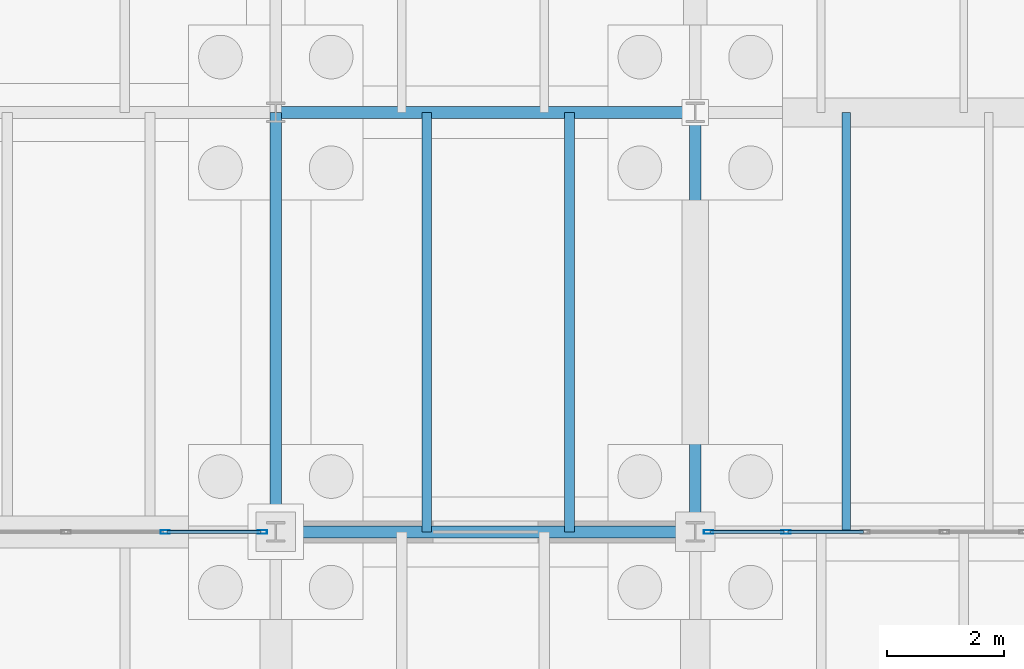
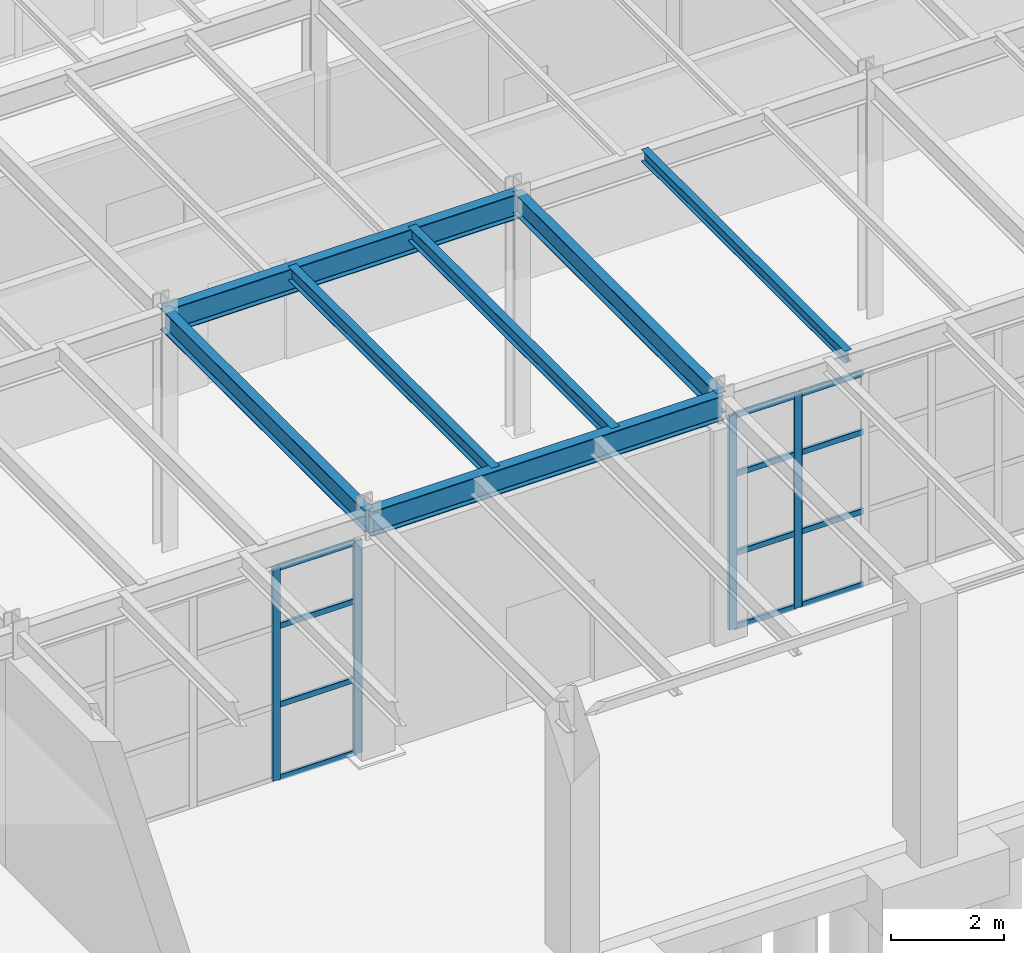
# One storey, part 72 of 293: 16 members, 7 beams, 2 elements without a shape of their own.
"""IFC4 building model written with IfcOpenShell, lengths in metres."""

from ifc_helpers import new_model, si_unit, direction, frame, origin, origin_2d, place, context, subcontext, project, spatial, hollow_rectangle, i_section, extrude, material, layer, layer_set, material_profile, profile_set, type_object, element, aggregate, save


model = new_model("IFC4")

# Units and contexts
model_context = context("Model", 3, precision=1e-05, world=origin(), true_north=direction((0.0, 1.0)))
body_context = subcontext(model_context, "Body", "Model", "MODEL_VIEW")
ifc_project = project(units=[si_unit("LENGTHUNIT", "METRE"), si_unit("AREAUNIT", "SQUARE_METRE"), si_unit("VOLUMEUNIT", "CUBIC_METRE"), si_unit("PLANEANGLEUNIT", "RADIAN"), si_unit("MASSUNIT", "GRAM", prefix="KILO")], contexts=[model_context])

# Site, building, storey
site_placement = place(None, origin())
site = spatial("IfcSite", under=ifc_project, at=site_placement, CompositionType="ELEMENT")
building_placement = place(site_placement, origin())
building = spatial("IfcBuilding", under=site, at=building_placement, Name="Kemerveld Promenade Tramway Depot", CompositionType="ELEMENT")
storey_placement = place(building_placement, origin())
storey = spatial("IfcBuildingStorey", under=building, at=storey_placement, Name="L00", CompositionType="ELEMENT", Elevation=0.0)

# Beams
ifc_material_1 = material(Name="Steel S355", Category="steel")
ifc_material_profile_1 = material_profile(ifc_material_1, i_section(OverallWidth=0.2099609375, OverallDepth=0.53662109375, WebThickness=0.0107421875, FlangeThickness=0.017333984375, FilletRadius=0.0126953125, at=origin_2d()), Name="533x210x101 UB")
ifc_profile_set_1 = profile_set([ifc_material_profile_1], Name="Steel S355")
beam_type_1 = type_object("IfcBeamType", Name="BM-G05", PredefinedType="BEAM", material=ifc_profile_set_1)
for number, where, z_axis, x_axis, name in (
    (1, (64.800048828125, 7.199951171875, 4.906494140625), (1.0, 0.0, 0.0), (0.0, 1.0, 0.0), "BMX-L00-10-11-B"),
    (2, (64.800048828125, 14.39990234375, 4.906494140625), (1.0, 0.0, 0.0), (0.0, 1.0, 0.0), "BMX-L00-10-11-C"),
):
    element("IfcBeam", number, at=place(storey_placement, frame(where, z_axis=z_axis, x_axis=x_axis)), inside=storey, type_object=beam_type_1, Name=name, PredefinedType="BEAM", context=body_context, shape_type="SweptSolid", body=[
        extrude(i_section(OverallWidth=0.2099609375, OverallDepth=0.53662109375, WebThickness=0.0107421875, FlangeThickness=0.017333984375, FilletRadius=0.0126953125, at=origin_2d()), origin(), (0.0, 0.0, 1.0), 7.199951171875),
    ])
ifc_material_profile_2 = material_profile(ifc_material_1, i_section(OverallWidth=0.19140625, OverallDepth=0.4599609375, WebThickness=0.010009765625, FlangeThickness=0.01611328125, FilletRadius=0.01025390625, at=origin_2d()), Name="457x191x82 UB")
ifc_profile_set_2 = profile_set([ifc_material_profile_2], Name="Steel S355")
beam_type_2 = type_object("IfcBeamType", Name="BM-G06", PredefinedType="BEAM", material=ifc_profile_set_2)
for number, where, z_axis, x_axis, name in (
    (3, (64.800048828125, 7.199951171875, 4.945068359375), (0.0, 1.0, 0.0), (-1.0, 0.0, 0.0), "BMY-L00-10-B-C"),
    (4, (72.0, 7.199951171875, 4.945068359375), (0.0, 1.0, 0.0), (-1.0, 0.0, 0.0), "BMY-L00-11-B-C"),
):
    element("IfcBeam", number, at=place(storey_placement, frame(where, z_axis=z_axis, x_axis=x_axis)), inside=storey, type_object=beam_type_2, Name=name, PredefinedType="BEAM", context=body_context, shape_type="SweptSolid", body=[
        extrude(i_section(OverallWidth=0.19140625, OverallDepth=0.4599609375, WebThickness=0.010009765625, FlangeThickness=0.01611328125, FilletRadius=0.01025390625, at=origin_2d()), origin(), (0.0, 0.0, 1.0), 7.199951171875),
    ])
ifc_material_profile_3 = material_profile(ifc_material_1, i_section(OverallWidth=0.165771484375, OverallDepth=0.306640625, WebThickness=0.006591796875, FlangeThickness=0.01171875, FilletRadius=0.0087890625, at=origin_2d()), Name="305x165x46 UB")
ifc_profile_set_3 = profile_set([ifc_material_profile_3], Name="Steel S355")
beam_type_3 = type_object("IfcBeamType", Name="BM-J01", PredefinedType="JOIST", material=ifc_profile_set_3)
for number, where, z_axis, x_axis, name in (
    (5, (67.39208984375, 7.199951171875, 5.021728515625), (0.0, 1.0, 0.0), (-1.0, 0.0, 0.0), "JST-L00-10-B-1"),
    (6, (69.840087890625, 7.199951171875, 5.021728515625), (0.0, 1.0, 0.0), (-1.0, 0.0, 0.0), "JST-L00-10-B-2"),
):
    element("IfcBeam", number, at=place(storey_placement, frame(where, z_axis=z_axis, x_axis=x_axis)), inside=storey, type_object=beam_type_3, Name=name, PredefinedType="JOIST", context=body_context, shape_type="SweptSolid", body=[
        extrude(i_section(OverallWidth=0.165771484375, OverallDepth=0.306640625, WebThickness=0.006591796875, FlangeThickness=0.01171875, FilletRadius=0.0087890625, at=origin_2d()), origin(), (0.0, 0.0, 1.0), 7.199951171875),
    ])
ifc_material_profile_4 = material_profile(ifc_material_1, i_section(OverallWidth=0.146484375, OverallDepth=0.256103515625, WebThickness=0.00634765625, FlangeThickness=0.010986328125, FilletRadius=0.007568359375, at=origin_2d()), Name="254x146x37 UB")
ifc_profile_set_4 = profile_set([ifc_material_profile_4], Name="Steel S355")
beam_type_4 = type_object("IfcBeamType", Name="BM-J02", PredefinedType="JOIST", material=ifc_profile_set_4)
beam_placement = place(storey_placement, frame((74.592041015625, 7.199951171875, 5.047119140625), z_axis=(0.0, 1.0, 0.0), x_axis=(-1.0, 0.0, 0.0)))
element("IfcBeam", 7, at=beam_placement, inside=storey, type_object=beam_type_4, Name="JST-L00-11-B-1", PredefinedType="JOIST", context=body_context, shape_type="SweptSolid", body=[
    extrude(i_section(OverallWidth=0.146484375, OverallDepth=0.256103515625, WebThickness=0.00634765625, FlangeThickness=0.010986328125, FilletRadius=0.007568359375, at=origin_2d()), origin(), (0.0, 0.0, 1.0), 7.199951171875),
])

# Curtain wall, members
ifc_material_2 = material(Name="Bronze anodised aluminium and solar glass", Category="aluminium")
ifc_layer_1 = layer(ifc_material_2, 0.159912109375)
ifc_layer_set_1 = layer_set([ifc_layer_1], Name="CW-SYS-01")
curtain_wall_type_1 = type_object("IfcCurtainWallType", Name="CW-SYS-01", PredefinedType="USERDEFINED", material=ifc_layer_set_1)
curtain_wall_1_placement = place(storey_placement, origin())
curtain_wall_1 = element("IfcCurtainWall", 8, at=curtain_wall_1_placement, inside=storey, type_object=curtain_wall_type_1, Name="CW-L00-V4S-12", ObjectType="GLAZED_CURTAIN_WALL", PredefinedType="USERDEFINED")
ifc_material_3 = material(Name="Bronze anodised aluminium", Category="aluminium")
ifc_material_profile_5 = material_profile(ifc_material_3, hollow_rectangle(XDim=0.06494140625, YDim=0.159912109375, WallThickness=0.00390625, InnerFilletRadius=0.001953125, OuterFilletRadius=0.00390625, at=origin_2d()), Name="CW-MUL-160x65")
ifc_profile_set_5 = profile_set([ifc_material_profile_5], Name="Bronze anodised aluminium")
member_type_1 = type_object("IfcMemberType", Name="CW-MUL-A", PredefinedType="MULLION", material=ifc_profile_set_5)
member_1_placement = place(storey_placement, frame((73.557861328125, 7.199951171875, 0.0), z_axis=(0.0, 0.0, 1.0), x_axis=(0.0, -1.0, 0.0)))
member_1 = element("IfcMember", 9, at=member_1_placement, type_object=member_type_1, Name="CW01 mullion 5", PredefinedType="MULLION", context=body_context, shape_type="SweptSolid", body=[
    extrude(hollow_rectangle(XDim=0.06494140625, YDim=0.159912109375, WallThickness=0.00390625, InnerFilletRadius=0.001953125, OuterFilletRadius=0.00390625, at=origin_2d()), origin(), (0.0, 0.0, 1.0), 4.618408203125),
])
member_2_placement = place(storey_placement, frame((72.228759765625, 7.199951171875, 0.0), z_axis=(0.0, 0.0, 1.0), x_axis=(0.0, -1.0, 0.0)))
member_2 = element("IfcMember", 10, at=member_2_placement, type_object=member_type_1, Name="CW01 mullion 6", PredefinedType="MULLION", context=body_context, shape_type="SweptSolid", body=[
    extrude(hollow_rectangle(XDim=0.06494140625, YDim=0.159912109375, WallThickness=0.00390625, InnerFilletRadius=0.001953125, OuterFilletRadius=0.00390625, at=origin_2d()), origin(), (0.0, 0.0, 1.0), 4.618408203125),
])

ifc_layer_2 = layer(ifc_material_2, 0.159912109375)
ifc_layer_set_2 = layer_set([ifc_layer_2], Name="CW-SYS-03")
curtain_wall_type_2 = type_object("IfcCurtainWallType", Name="CW-SYS-03", PredefinedType="USERDEFINED", material=ifc_layer_set_2)
curtain_wall_2_placement = place(storey_placement, origin())
curtain_wall_2 = element("IfcCurtainWall", 11, at=curtain_wall_2_placement, inside=storey, type_object=curtain_wall_type_2, Name="CW-L00-V4S-14", ObjectType="GLAZED_CURTAIN_WALL", PredefinedType="USERDEFINED")
member_3_placement = place(storey_placement, frame((64.5712890625, 7.199951171875, 0.0), z_axis=(0.0, 0.0, 1.0), x_axis=(0.0, -1.0, 0.0)))
member_3 = element("IfcMember", 12, at=member_3_placement, type_object=member_type_1, Name="CW03 mullion 1", PredefinedType="MULLION", context=body_context, shape_type="SweptSolid", body=[
    extrude(hollow_rectangle(XDim=0.06494140625, YDim=0.159912109375, WallThickness=0.00390625, InnerFilletRadius=0.001953125, OuterFilletRadius=0.00390625, at=origin_2d()), origin(), (0.0, 0.0, 1.0), 4.593505859375),
])
member_4_placement = place(storey_placement, frame((62.90185546875, 7.199951171875, 0.0), z_axis=(0.0, 0.0, 1.0), x_axis=(0.0, -1.0, 0.0)))
member_4 = element("IfcMember", 13, at=member_4_placement, type_object=member_type_1, Name="CW03 mullion 2", PredefinedType="MULLION", context=body_context, shape_type="SweptSolid", body=[
    extrude(hollow_rectangle(XDim=0.06494140625, YDim=0.159912109375, WallThickness=0.00390625, InnerFilletRadius=0.001953125, OuterFilletRadius=0.00390625, at=origin_2d()), origin(), (0.0, 0.0, 1.0), 4.593505859375),
])

# Member
ifc_material_profile_6 = material_profile(ifc_material_3, hollow_rectangle(XDim=0.06005859375, YDim=0.1201171875, WallThickness=0.00390625, InnerFilletRadius=0.001953125, OuterFilletRadius=0.00390625, at=origin_2d()), Name="CW-TRN-120x60")
ifc_profile_set_6 = profile_set([ifc_material_profile_6], Name="Bronze anodised aluminium")
member_type_2 = type_object("IfcMemberType", Name="CW-TRN-A", PredefinedType="USERDEFINED", material=ifc_profile_set_6)
member_5_placement = place(storey_placement, frame((74.88671875, 7.199951171875, 0.030029296875), z_axis=(-1.0, 0.0, 0.0), x_axis=(0.0, -1.0, 0.0)))
member_5 = element("IfcMember", 14, at=member_5_placement, type_object=member_type_2, Name="CW01 transom 4.1", ObjectType="TRANSOM", PredefinedType="USERDEFINED", context=body_context, shape_type="SweptSolid", body=[
    extrude(hollow_rectangle(XDim=0.06005859375, YDim=0.1201171875, WallThickness=0.00390625, InnerFilletRadius=0.001953125, OuterFilletRadius=0.00390625, at=origin_2d()), origin(), (0.0, 0.0, 1.0), 1.29638671875),
])

member_6_placement = place(storey_placement, frame((74.88671875, 7.199951171875, 1.615966796875), z_axis=(-1.0, 0.0, 0.0), x_axis=(0.0, -1.0, 0.0)))
member_6 = element("IfcMember", 15, at=member_6_placement, type_object=member_type_2, Name="CW01 transom 4.2", ObjectType="TRANSOM", PredefinedType="USERDEFINED", context=body_context, shape_type="SweptSolid", body=[
    extrude(hollow_rectangle(XDim=0.06005859375, YDim=0.1201171875, WallThickness=0.00390625, InnerFilletRadius=0.001953125, OuterFilletRadius=0.00390625, at=origin_2d()), origin(), (0.0, 0.0, 1.0), 1.29638671875),
])

member_7_placement = place(storey_placement, frame((74.88671875, 7.199951171875, 3.324951171875), z_axis=(-1.0, 0.0, 0.0), x_axis=(0.0, -1.0, 0.0)))
member_7 = element("IfcMember", 16, at=member_7_placement, type_object=member_type_2, Name="CW01 transom 4.3", ObjectType="TRANSOM", PredefinedType="USERDEFINED", context=body_context, shape_type="SweptSolid", body=[
    extrude(hollow_rectangle(XDim=0.06005859375, YDim=0.1201171875, WallThickness=0.00390625, InnerFilletRadius=0.001953125, OuterFilletRadius=0.00390625, at=origin_2d()), origin(), (0.0, 0.0, 1.0), 1.29638671875),
])

member_8_placement = place(storey_placement, frame((74.88671875, 7.199951171875, 4.58837890625), z_axis=(-1.0, 0.0, 0.0), x_axis=(0.0, -1.0, 0.0)))
member_8 = element("IfcMember", 17, at=member_8_placement, type_object=member_type_2, Name="CW01 transom 4.4", ObjectType="TRANSOM", PredefinedType="USERDEFINED", context=body_context, shape_type="SweptSolid", body=[
    extrude(hollow_rectangle(XDim=0.06005859375, YDim=0.1201171875, WallThickness=0.00390625, InnerFilletRadius=0.001953125, OuterFilletRadius=0.00390625, at=origin_2d()), origin(), (0.0, 0.0, 1.0), 1.29638671875),
])

member_9_placement = place(storey_placement, frame((73.525390625, 7.199951171875, 0.030029296875), z_axis=(-1.0, 0.0, 0.0), x_axis=(0.0, -1.0, 0.0)))
member_9 = element("IfcMember", 18, at=member_9_placement, type_object=member_type_2, Name="CW01 transom 5.1", ObjectType="TRANSOM", PredefinedType="USERDEFINED", context=body_context, shape_type="SweptSolid", body=[
    extrude(hollow_rectangle(XDim=0.06005859375, YDim=0.1201171875, WallThickness=0.00390625, InnerFilletRadius=0.001953125, OuterFilletRadius=0.00390625, at=origin_2d()), origin(), (0.0, 0.0, 1.0), 1.26416015625),
])

member_10_placement = place(storey_placement, frame((73.525390625, 7.199951171875, 1.615966796875), z_axis=(-1.0, 0.0, 0.0), x_axis=(0.0, -1.0, 0.0)))
member_10 = element("IfcMember", 19, at=member_10_placement, type_object=member_type_2, Name="CW01 transom 5.2", ObjectType="TRANSOM", PredefinedType="USERDEFINED", context=body_context, shape_type="SweptSolid", body=[
    extrude(hollow_rectangle(XDim=0.06005859375, YDim=0.1201171875, WallThickness=0.00390625, InnerFilletRadius=0.001953125, OuterFilletRadius=0.00390625, at=origin_2d()), origin(), (0.0, 0.0, 1.0), 1.26416015625),
])

member_11_placement = place(storey_placement, frame((73.525390625, 7.199951171875, 3.324951171875), z_axis=(-1.0, 0.0, 0.0), x_axis=(0.0, -1.0, 0.0)))
member_11 = element("IfcMember", 20, at=member_11_placement, type_object=member_type_2, Name="CW01 transom 5.3", ObjectType="TRANSOM", PredefinedType="USERDEFINED", context=body_context, shape_type="SweptSolid", body=[
    extrude(hollow_rectangle(XDim=0.06005859375, YDim=0.1201171875, WallThickness=0.00390625, InnerFilletRadius=0.001953125, OuterFilletRadius=0.00390625, at=origin_2d()), origin(), (0.0, 0.0, 1.0), 1.26416015625),
])

member_12_placement = place(storey_placement, frame((73.525390625, 7.199951171875, 4.58837890625), z_axis=(-1.0, 0.0, 0.0), x_axis=(0.0, -1.0, 0.0)))
member_12 = element("IfcMember", 21, at=member_12_placement, type_object=member_type_2, Name="CW01 transom 5.4", ObjectType="TRANSOM", PredefinedType="USERDEFINED", context=body_context, shape_type="SweptSolid", body=[
    extrude(hollow_rectangle(XDim=0.06005859375, YDim=0.1201171875, WallThickness=0.00390625, InnerFilletRadius=0.001953125, OuterFilletRadius=0.00390625, at=origin_2d()), origin(), (0.0, 0.0, 1.0), 1.26416015625),
])

aggregate(curtain_wall_1, [member_1, member_2, member_5, member_6, member_7, member_8, member_9, member_10, member_11, member_12])

member_13_placement = place(storey_placement, frame((64.538818359375, 7.199951171875, 0.030029296875), z_axis=(-1.0, 0.0, 0.0), x_axis=(0.0, -1.0, 0.0)))
member_13 = element("IfcMember", 22, at=member_13_placement, type_object=member_type_2, Name="CW03 transom 1.1", ObjectType="TRANSOM", PredefinedType="USERDEFINED", context=body_context, shape_type="SweptSolid", body=[
    extrude(hollow_rectangle(XDim=0.06005859375, YDim=0.1201171875, WallThickness=0.00390625, InnerFilletRadius=0.001953125, OuterFilletRadius=0.00390625, at=origin_2d()), origin(), (0.0, 0.0, 1.0), 1.6044921875),
])

member_14_placement = place(storey_placement, frame((64.538818359375, 7.199951171875, 1.60791015625), z_axis=(-1.0, 0.0, 0.0), x_axis=(0.0, -1.0, 0.0)))
member_14 = element("IfcMember", 23, at=member_14_placement, type_object=member_type_2, Name="CW03 transom 1.2", ObjectType="TRANSOM", PredefinedType="USERDEFINED", context=body_context, shape_type="SweptSolid", body=[
    extrude(hollow_rectangle(XDim=0.06005859375, YDim=0.1201171875, WallThickness=0.00390625, InnerFilletRadius=0.001953125, OuterFilletRadius=0.00390625, at=origin_2d()), origin(), (0.0, 0.0, 1.0), 1.6044921875),
])

member_15_placement = place(storey_placement, frame((64.538818359375, 7.199951171875, 3.306884765625), z_axis=(-1.0, 0.0, 0.0), x_axis=(0.0, -1.0, 0.0)))
member_15 = element("IfcMember", 24, at=member_15_placement, type_object=member_type_2, Name="CW03 transom 1.3", ObjectType="TRANSOM", PredefinedType="USERDEFINED", context=body_context, shape_type="SweptSolid", body=[
    extrude(hollow_rectangle(XDim=0.06005859375, YDim=0.1201171875, WallThickness=0.00390625, InnerFilletRadius=0.001953125, OuterFilletRadius=0.00390625, at=origin_2d()), origin(), (0.0, 0.0, 1.0), 1.6044921875),
])

member_16_placement = place(storey_placement, frame((64.538818359375, 7.199951171875, 4.5634765625), z_axis=(-1.0, 0.0, 0.0), x_axis=(0.0, -1.0, 0.0)))
member_16 = element("IfcMember", 25, at=member_16_placement, type_object=member_type_2, Name="CW03 transom 1.4", ObjectType="TRANSOM", PredefinedType="USERDEFINED", context=body_context, shape_type="SweptSolid", body=[
    extrude(hollow_rectangle(XDim=0.06005859375, YDim=0.1201171875, WallThickness=0.00390625, InnerFilletRadius=0.001953125, OuterFilletRadius=0.00390625, at=origin_2d()), origin(), (0.0, 0.0, 1.0), 1.6044921875),
])

aggregate(curtain_wall_2, [member_3, member_4, member_13, member_14, member_15, member_16])

save(model, "model.ifc")
